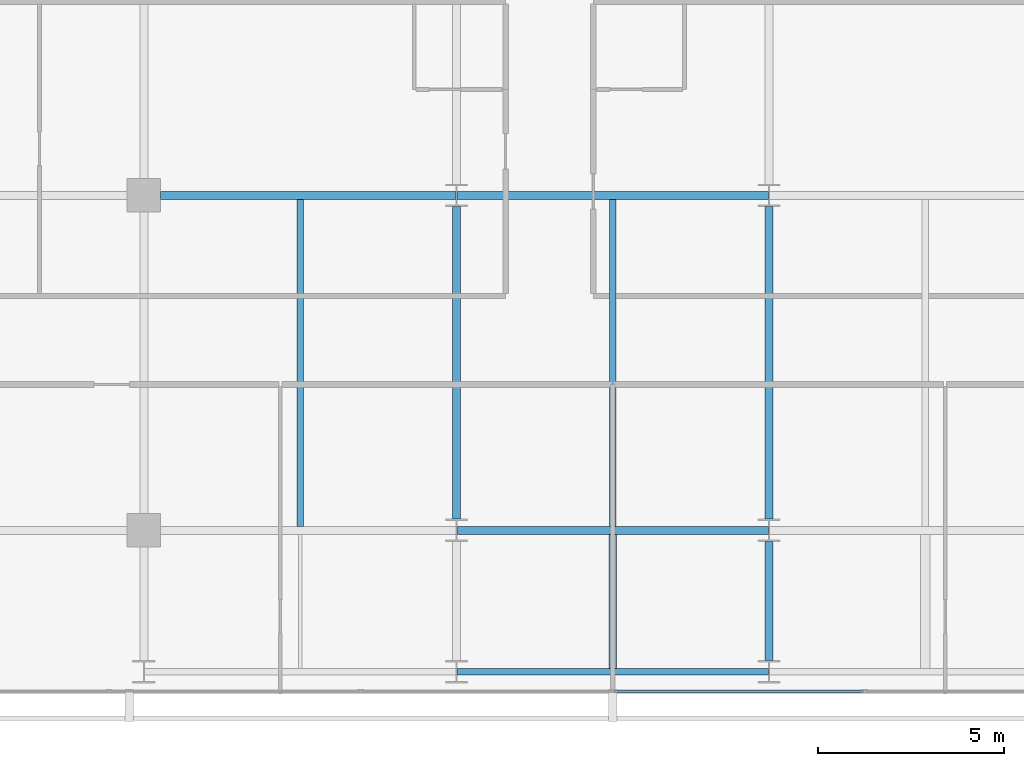
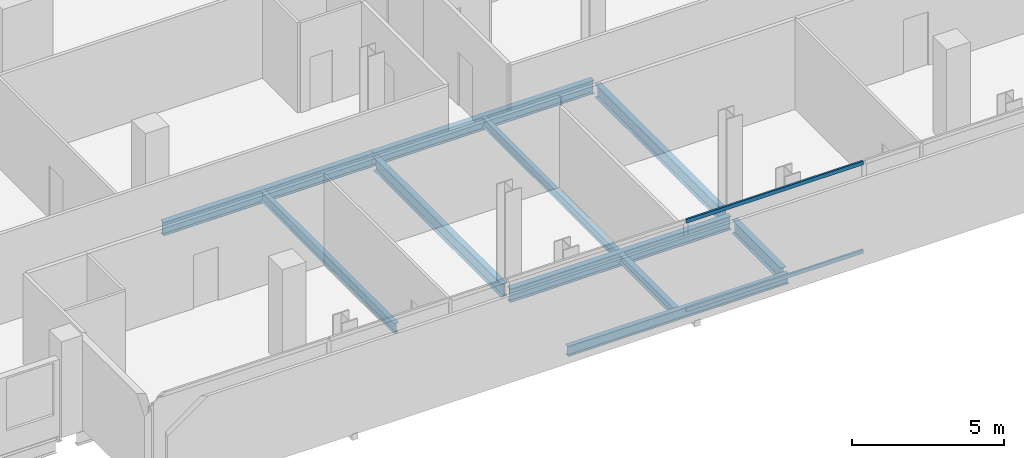
# One storey, part 7 of 32: 10 beams, 2 members, 1 element without a shape of its own.
"""IFC4 building model written with IfcOpenShell, lengths in metres."""

from ifc_helpers import new_model, si_unit, direction, frame, origin, origin_2d, place, context, subcontext, project, spatial, hollow_rectangle, i_section, extrude, material, layer, layer_set, material_profile, profile_set, type_object, element, aggregate, save


model = new_model("IFC4")

# Units and contexts
model_context = context("Model", 3, precision=1e-05, world=origin(), true_north=direction((0.0, 1.0)))
body_context = subcontext(model_context, "Body", "Model", "MODEL_VIEW")
ifc_project = project(units=[si_unit("LENGTHUNIT", "METRE"), si_unit("AREAUNIT", "SQUARE_METRE"), si_unit("VOLUMEUNIT", "CUBIC_METRE"), si_unit("PLANEANGLEUNIT", "RADIAN"), si_unit("MASSUNIT", "GRAM", prefix="KILO")], contexts=[model_context])

# Site, building, storey
site_placement = place(None, origin())
site = spatial("IfcSite", under=ifc_project, at=site_placement, CompositionType="ELEMENT")
building_placement = place(site_placement, origin())
building = spatial("IfcBuilding", under=site, at=building_placement, Name="Maruvema Waterfront Hotel and Observation Tower", CompositionType="ELEMENT")
storey_placement = place(building_placement, frame((0.0, 0.0, 219.800048828125)))
storey = spatial("IfcBuildingStorey", under=building, at=storey_placement, Name="L54", CompositionType="ELEMENT", Elevation=219.800048828125)

# Curtain wall, members
ifc_material_1 = material(Name="Anodised bronze aluminium and solar-control low-E IGU", Category="aluminium")
ifc_layer = layer(ifc_material_1, 0.159912109375, Name="Zone 2 Amber Inner Thermal Curtain Wall System CW-03")
ifc_layer_set = layer_set([ifc_layer], Name="Anodised bronze aluminium and solar-control low-E IGU")
curtain_wall_type = type_object("IfcCurtainWallType", Name="Zone 2 Amber Inner Thermal Curtain Wall System CW-03", PredefinedType="USERDEFINED", material=ifc_layer_set)
curtain_wall_placement = place(storey_placement, origin())
curtain_wall = element("IfcCurtainWall", 1, at=curtain_wall_placement, inside=storey, type_object=curtain_wall_type, Name="L54 Curtain Wall CW-L54-S", ObjectType="UNITISED CURTAIN WALL", PredefinedType="USERDEFINED")
ifc_material_2 = material(Name="Anodised architectural bronze aluminium", Category="aluminium")
ifc_material_profile_1 = material_profile(ifc_material_2, hollow_rectangle(XDim=0.070068359375, YDim=0.14990234375, WallThickness=0.00390625, at=origin_2d()), Name="ALU-T70x150")
ifc_profile_set_1 = profile_set([ifc_material_profile_1], Name="Anodised architectural bronze aluminium")
member_type = type_object("IfcMemberType", Name="Curtain Wall Horizontal Transom ALU-T70x150", PredefinedType="USERDEFINED", material=ifc_profile_set_1)
member_1_placement = place(storey_placement, frame((37.830078125, 4.679931640625, 0.030029296875), z_axis=(1.0, 0.0, 0.0), x_axis=(0.0, 1.0, 0.0)))
member_1 = element("IfcMember", 2, at=member_1_placement, type_object=member_type, Name="CW-03 transom 4.1", ObjectType="TRANSOM", PredefinedType="USERDEFINED", context=body_context, shape_type="SweptSolid", body=[
    extrude(hollow_rectangle(XDim=0.070068359375, YDim=0.14990234375, WallThickness=0.00390625, at=origin_2d()), origin(), (0.0, 0.0, 1.0), 6.70654296875),
])
member_2_placement = place(storey_placement, frame((37.830078125, 4.679931640625, 3.579833984375), z_axis=(1.0, 0.0, 0.0), x_axis=(0.0, 1.0, 0.0)))
member_2 = element("IfcMember", 3, at=member_2_placement, type_object=member_type, Name="CW-03 transom 4.2", ObjectType="TRANSOM", PredefinedType="USERDEFINED", context=body_context, shape_type="SweptSolid", body=[
    extrude(hollow_rectangle(XDim=0.070068359375, YDim=0.14990234375, WallThickness=0.00390625, at=origin_2d()), origin(), (0.0, 0.0, 1.0), 6.70654296875),
])
aggregate(curtain_wall, [member_1, member_2])

# Beams
ifc_material_3 = material(Name="Steel ASTM A572 Grade 50", Category="steel")
ifc_material_profile_2 = material_profile(ifc_material_3, i_section(OverallWidth=0.178955078125, OverallDepth=0.409912109375, WebThickness=0.0087890625, FlangeThickness=0.014404296875, FilletRadius=0.014892578125, at=origin_2d()), Name="W410x67.0")
ifc_profile_set_2 = profile_set([ifc_material_profile_2], Name="Steel ASTM A572 Grade 50")
beam_type_1 = type_object("IfcBeamType", Name="Perimeter Spandrel Beam W410x67.0", PredefinedType="SPANDREL", material=ifc_profile_set_2)
beam_1_placement = place(storey_placement, frame((33.612548828125, 5.199951171875, -0.445068359375), z_axis=(1.0, 0.0, 0.0), x_axis=(0.0, 1.0, 0.0)))
element("IfcBeam", 4, at=beam_1_placement, inside=storey, type_object=beam_type_1, Name="L54 Floor Girder EW-02", PredefinedType="SPANDREL", context=body_context, shape_type="SweptSolid", body=[
    extrude(i_section(OverallWidth=0.178955078125, OverallDepth=0.409912109375, WebThickness=0.0087890625, FlangeThickness=0.014404296875, FilletRadius=0.014892578125, at=origin_2d()), origin(), (0.0, 0.0, 1.0), 8.375),
])
ifc_material_4 = material(Name="Steel ASTM A572 Grade 50", Category="steel")
ifc_material_profile_3 = material_profile(ifc_material_4, i_section(OverallWidth=0.2109375, OverallDepth=0.5390625, WebThickness=0.01171875, FlangeThickness=0.018798828125, FilletRadius=0.014892578125, at=origin_2d()), Name="W530x109.0")
ifc_profile_set_3 = profile_set([ifc_material_profile_3], Name="Steel ASTM A572 Grade 50")
beam_type_2 = type_object("IfcBeamType", Name="Primary Floor Girder W530x109.0", PredefinedType="BEAM", material=ifc_profile_set_3)
beam_2_placement = place(storey_placement, frame((33.612548828125, 9.0, -0.509521484375), z_axis=(1.0, 0.0, 0.0), x_axis=(0.0, 1.0, 0.0)))
element("IfcBeam", 5, at=beam_2_placement, inside=storey, type_object=beam_type_2, Name="L54 Floor Girder EW-07", PredefinedType="BEAM", context=body_context, shape_type="SweptSolid", body=[
    extrude(i_section(OverallWidth=0.2109375, OverallDepth=0.5390625, WebThickness=0.01171875, FlangeThickness=0.018798828125, FilletRadius=0.014892578125, at=origin_2d()), origin(), (0.0, 0.0, 1.0), 8.375),
])
beam_3_placement = place(storey_placement, frame((25.64990234375, 18.0, -0.509521484375), z_axis=(1.0, 0.0, 0.0), x_axis=(0.0, 1.0, 0.0)))
element("IfcBeam", 6, at=beam_3_placement, inside=storey, type_object=beam_type_2, Name="L54 Floor Girder EW-13", PredefinedType="BEAM", context=body_context, shape_type="SweptSolid", body=[
    extrude(i_section(OverallWidth=0.2109375, OverallDepth=0.5390625, WebThickness=0.01171875, FlangeThickness=0.018798828125, FilletRadius=0.014892578125, at=origin_2d()), origin(), (0.0, 0.0, 1.0), 7.9375),
])
beam_4_placement = place(storey_placement, frame((33.612548828125, 18.0, -0.509521484375), z_axis=(1.0, 0.0, 0.0), x_axis=(0.0, 1.0, 0.0)))
element("IfcBeam", 7, at=beam_4_placement, inside=storey, type_object=beam_type_2, Name="L54 Floor Girder EW-14", PredefinedType="BEAM", context=body_context, shape_type="SweptSolid", body=[
    extrude(i_section(OverallWidth=0.2109375, OverallDepth=0.5390625, WebThickness=0.01171875, FlangeThickness=0.018798828125, FilletRadius=0.014892578125, at=origin_2d()), origin(), (0.0, 0.0, 1.0), 8.375),
])
beam_5_placement = place(storey_placement, frame((33.60009765625, 9.300048828125, -0.509521484375), z_axis=(0.0, 1.0, 0.0), x_axis=(-1.0, 0.0, 0.0)))
element("IfcBeam", 8, at=beam_5_placement, inside=storey, type_object=beam_type_2, Name="L54 Floor Girder NS-15", PredefinedType="BEAM", context=body_context, shape_type="SweptSolid", body=[
    extrude(i_section(OverallWidth=0.2109375, OverallDepth=0.5390625, WebThickness=0.01171875, FlangeThickness=0.018798828125, FilletRadius=0.014892578125, at=origin_2d()), origin(), (0.0, 0.0, 1.0), 8.39990234375),
])
beam_6_placement = place(storey_placement, frame((42.0, 5.5, -0.509521484375), z_axis=(0.0, 1.0, 0.0), x_axis=(-1.0, 0.0, 0.0)))
element("IfcBeam", 9, at=beam_6_placement, inside=storey, type_object=beam_type_2, Name="L54 Floor Girder NS-17", PredefinedType="BEAM", context=body_context, shape_type="SweptSolid", body=[
    extrude(i_section(OverallWidth=0.2109375, OverallDepth=0.5390625, WebThickness=0.01171875, FlangeThickness=0.018798828125, FilletRadius=0.014892578125, at=origin_2d()), origin(), (0.0, 0.0, 1.0), 3.199951171875),
])
beam_7_placement = place(storey_placement, frame((42.0, 9.300048828125, -0.509521484375), z_axis=(0.0, 1.0, 0.0), x_axis=(-1.0, 0.0, 0.0)))
element("IfcBeam", 10, at=beam_7_placement, inside=storey, type_object=beam_type_2, Name="L54 Floor Girder NS-18", PredefinedType="BEAM", context=body_context, shape_type="SweptSolid", body=[
    extrude(i_section(OverallWidth=0.2109375, OverallDepth=0.5390625, WebThickness=0.01171875, FlangeThickness=0.018798828125, FilletRadius=0.014892578125, at=origin_2d()), origin(), (0.0, 0.0, 1.0), 8.39990234375),
])
ifc_material_5 = material(Name="Steel ASTM A572 Grade 50", Category="steel")
ifc_material_profile_4 = material_profile(ifc_material_5, i_section(OverallWidth=0.1708984375, OverallDepth=0.35498046875, WebThickness=0.007080078125, FlangeThickness=0.01171875, FilletRadius=0.014892578125, at=origin_2d()), Name="W360x51.0")
ifc_profile_set_4 = profile_set([ifc_material_profile_4], Name="Steel ASTM A572 Grade 50")
beam_type_3 = type_object("IfcBeamType", Name="Secondary Floor Joist W360x51.0", PredefinedType="JOIST", material=ifc_profile_set_4)
beam_8_placement = place(storey_placement, frame((37.800048828125, 9.10546875, -0.41748046875), z_axis=(0.0, 1.0, 0.0), x_axis=(-1.0, 0.0, 0.0)))
element("IfcBeam", 11, at=beam_8_placement, inside=storey, type_object=beam_type_3, Name="L54 Secondary Floor Joist JS-08", PredefinedType="JOIST", context=body_context, shape_type="SweptSolid", body=[
    extrude(i_section(OverallWidth=0.1708984375, OverallDepth=0.35498046875, WebThickness=0.007080078125, FlangeThickness=0.01171875, FilletRadius=0.014892578125, at=origin_2d()), origin(), (0.0, 0.0, 1.0), 8.7890625),
])
ifc_material_6 = material(Name="Steel ASTM A572 Grade 50", Category="steel")
ifc_material_profile_5 = material_profile(ifc_material_6, i_section(OverallWidth=0.202880859375, OverallDepth=0.346923828125, WebThickness=0.0078125, FlangeThickness=0.013427734375, FilletRadius=0.014892578125, at=origin_2d()), Name="W360x64.0")
ifc_profile_set_5 = profile_set([ifc_material_profile_5], Name="Steel ASTM A572 Grade 50")
beam_type_4 = type_object("IfcBeamType", Name="Secondary Floor Joist W360x64.0", PredefinedType="JOIST", material=ifc_profile_set_5)
beam_9_placement = place(storey_placement, frame((37.800048828125, 5.28955078125, -0.41357421875), z_axis=(0.0, 1.0, 0.0), x_axis=(-1.0, 0.0, 0.0)))
element("IfcBeam", 12, at=beam_9_placement, inside=storey, type_object=beam_type_4, Name="L54 Secondary Floor Joist JS-07", PredefinedType="JOIST", context=body_context, shape_type="SweptSolid", body=[
    extrude(i_section(OverallWidth=0.202880859375, OverallDepth=0.346923828125, WebThickness=0.0078125, FlangeThickness=0.013427734375, FilletRadius=0.014892578125, at=origin_2d()), origin(), (0.0, 0.0, 1.0), 3.60498046875),
])
ifc_material_7 = material(Name="Steel ASTM A572 Grade 50", Category="steel")
ifc_material_profile_6 = material_profile(ifc_material_7, i_section(OverallWidth=0.177001953125, OverallDepth=0.403076171875, WebThickness=0.007568359375, FlangeThickness=0.010986328125, FilletRadius=0.014892578125, at=origin_2d()), Name="W410x53.0")
ifc_profile_set_6 = profile_set([ifc_material_profile_6], Name="Steel ASTM A572 Grade 50")
beam_type_5 = type_object("IfcBeamType", Name="Secondary Floor Joist W410x53.0", PredefinedType="JOIST", material=ifc_profile_set_6)
beam_10_placement = place(storey_placement, frame((29.39990234375, 9.10546875, -0.441650390625), z_axis=(0.0, 1.0, 0.0), x_axis=(-1.0, 0.0, 0.0)))
element("IfcBeam", 13, at=beam_10_placement, inside=storey, type_object=beam_type_5, Name="L54 Secondary Floor Joist JS-06", PredefinedType="JOIST", context=body_context, shape_type="SweptSolid", body=[
    extrude(i_section(OverallWidth=0.177001953125, OverallDepth=0.403076171875, WebThickness=0.007568359375, FlangeThickness=0.010986328125, FilletRadius=0.014892578125, at=origin_2d()), origin(), (0.0, 0.0, 1.0), 8.7890625),
])

save(model, "model.ifc")
